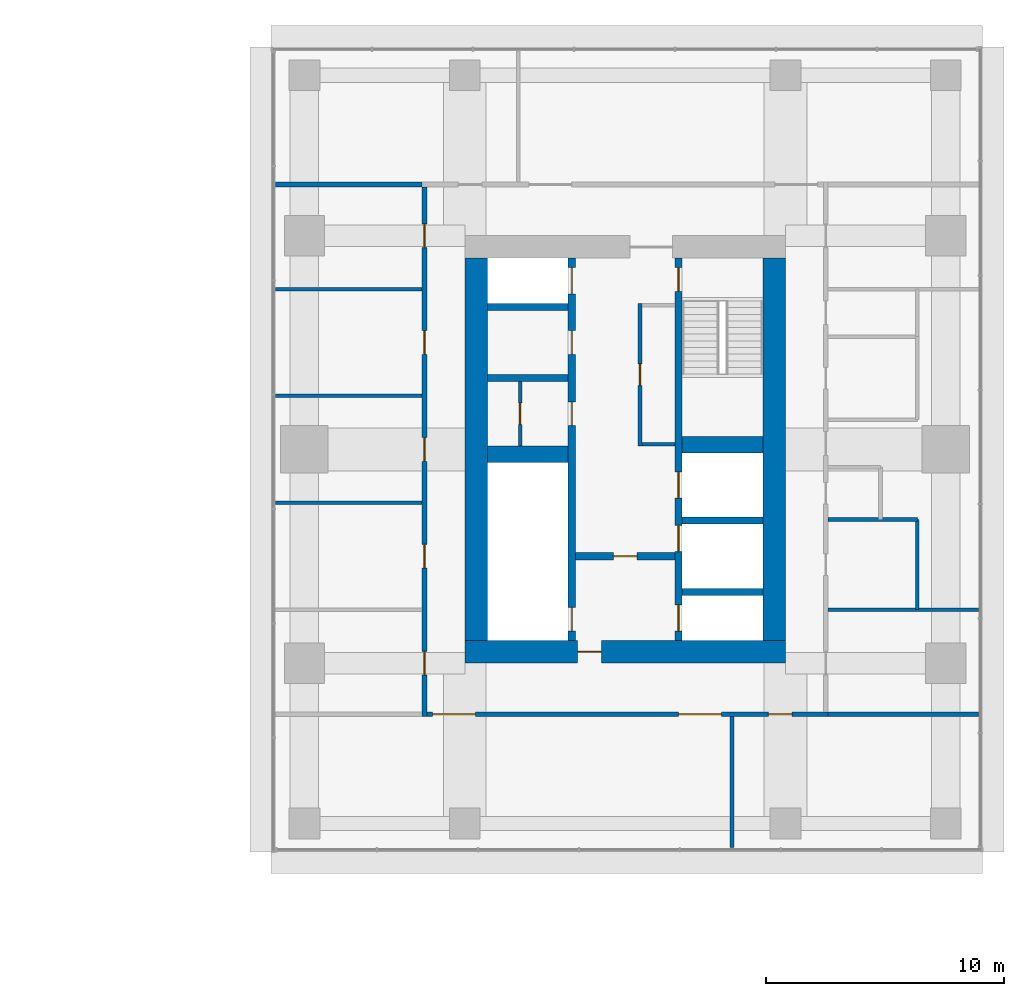
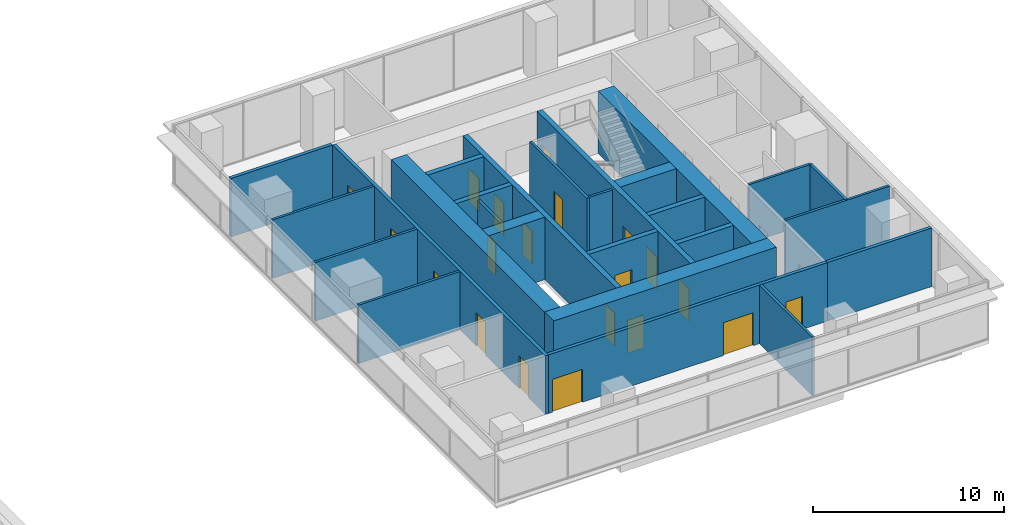
# One storey, part 10 of 14: 26 walls, 20 doors, 20 openings.
"""IFC4 building model written with IfcOpenShell, lengths in metres."""

from ifc_helpers import new_model, si_unit, direction, frame, frame_2d, origin, place, context, subcontext, project, spatial, rectangle, extrude, material, layer, layer_set, type_object, element, fill, save


model = new_model("IFC4")

# Units and contexts
model_context = context("Model", 3, precision=1e-05, world=origin(), true_north=direction((0.0, 1.0)))
body_context = subcontext(model_context, "Body", "Model", "MODEL_VIEW")
ifc_project = project(units=[si_unit("LENGTHUNIT", "METRE"), si_unit("AREAUNIT", "SQUARE_METRE"), si_unit("VOLUMEUNIT", "CUBIC_METRE"), si_unit("PLANEANGLEUNIT", "RADIAN"), si_unit("MASSUNIT", "GRAM", prefix="KILO")], contexts=[model_context])

# Site, building, storey
site_placement = place(None, origin())
site = spatial("IfcSite", under=ifc_project, at=site_placement, CompositionType="ELEMENT")
building_placement = place(site_placement, origin())
building = spatial("IfcBuilding", under=site, at=building_placement, Name="Namib Vertical Campus", CompositionType="ELEMENT")
storey_placement = place(building_placement, frame((0.0, 0.0, 233.0)))
storey = spatial("IfcBuildingStorey", under=building, at=storey_placement, Name="L55", CompositionType="ELEMENT", Elevation=233.0)

# Wall, openings, doors
ifc_material_1 = material(Name="Concrete C60/75", Category="concrete")
ifc_layer_1 = layer(ifc_material_1, 0.300048828125)
ifc_layer_set_1 = layer_set([ifc_layer_1], Name="Concrete C60/75")
wall_type_1 = type_object("IfcWallType", Name="Core inner wall 300", PredefinedType="SHEAR", material=ifc_layer_set_1)
wall_1_placement = place(storey_placement, frame((78.75, 12.199951171875, 0.0), z_axis=(0.0, 0.0, 1.0), x_axis=(0.0, 1.0, 0.0)))
wall_1 = element("IfcWall", 1, at=wall_1_placement, inside=storey, type_object=wall_type_1, Name="Core inner wall B L55 W1", PredefinedType="SHEAR", context=body_context, shape_type="SweptSolid", body=[
    extrude(rectangle(XDim=16.10009765625, YDim=0.300048828125, at=frame_2d((8.050048828125, 0.0))), origin(), (0.0, 0.0, 1.0), 4.0),
])
opening_1_placement = place(wall_1_placement, frame((0.39990234375, 0.0, 0.0)))
opening_1 = element("IfcOpeningElement", 2, at=opening_1_placement, cuts=wall_1, Name="Opening FD1", PredefinedType="OPENING", context=body_context, shape_type="SweptSolid", body=[
    extrude(rectangle(XDim=1.0, YDim=2.10009765625, at=frame_2d((0.5, 1.050048828125))), frame((0.0, 0.159912109375, 0.0), z_axis=(0.0, -1.0, 0.0), x_axis=(1.0, 0.0, 0.0)), (0.0, 0.0, 1.0), 0.320068359375),
])
opening_2_placement = place(wall_1_placement, frame((14.60009765625, 0.0, 0.0)))
opening_2 = element("IfcOpeningElement", 3, at=opening_2_placement, cuts=wall_1, Name="Opening LD1", PredefinedType="OPENING", context=body_context, shape_type="SweptSolid", body=[
    extrude(rectangle(XDim=1.10009765625, YDim=2.10009765625, at=frame_2d((0.550048828125, 1.050048828125))), frame((0.0, 0.159912109375, 0.0), z_axis=(0.0, -1.0, 0.0), x_axis=(1.0, 0.0, 0.0)), (0.0, 0.0, 1.0), 0.320068359375),
])
opening_3_placement = place(wall_1_placement, frame((9.050048828125, 0.0, 0.0)))
opening_3 = element("IfcOpeningElement", 4, at=opening_3_placement, cuts=wall_1, Name="Opening D1", PredefinedType="OPENING", context=body_context, shape_type="SweptSolid", body=[
    extrude(rectangle(XDim=1.0, YDim=2.10009765625, at=frame_2d((0.5, 1.050048828125))), frame((0.0, 0.159912109375, 0.0), z_axis=(0.0, -1.0, 0.0), x_axis=(1.0, 0.0, 0.0)), (0.0, 0.0, 1.0), 0.320068359375),
])
opening_4_placement = place(wall_1_placement, frame((12.050048828125, 0.0, 0.0)))
opening_4 = element("IfcOpeningElement", 5, at=opening_4_placement, cuts=wall_1, Name="Opening D1", PredefinedType="OPENING", context=body_context, shape_type="SweptSolid", body=[
    extrude(rectangle(XDim=1.0, YDim=2.10009765625, at=frame_2d((0.5, 1.050048828125))), frame((0.0, 0.159912109375, 0.0), z_axis=(0.0, -1.0, 0.0), x_axis=(1.0, 0.0, 0.0)), (0.0, 0.0, 1.0), 0.320068359375),
])
ifc_material_2 = material(Name="Timber door leaf", Category="wood")
door_type_1 = type_object("IfcDoorType", Name="Door single 1000x2100", OperationType="SINGLE_SWING_LEFT", PredefinedType="DOOR", material=ifc_material_2)
door_1_placement = place(opening_3_placement, origin())
door_1 = element("IfcDoor", 6, at=door_1_placement, inside=storey, type_object=door_type_1, Name="Door D1 Store B L55 P1", OperationType="SINGLE_SWING_LEFT", OverallHeight=2.10009765625, OverallWidth=1.0, PredefinedType="DOOR", context=body_context, shape_type="SweptSolid", body=[
    extrude(rectangle(XDim=1.0, YDim=2.10009765625, at=frame_2d((0.5, 1.050048828125))), frame((0.0, 0.02490234375, 0.0), z_axis=(0.0, -1.0, 0.0), x_axis=(1.0, 0.0, 0.0)), (0.0, 0.0, 1.0), 0.050048828125),
])
fill(opening_3, door_1)
door_2_placement = place(opening_4_placement, origin())
door_2 = element("IfcDoor", 7, at=door_2_placement, inside=storey, type_object=door_type_1, Name="Door D1 Cleaners' store B L55 P2", OperationType="SINGLE_SWING_LEFT", OverallHeight=2.10009765625, OverallWidth=1.0, PredefinedType="DOOR", context=body_context, shape_type="SweptSolid", body=[
    extrude(rectangle(XDim=1.0, YDim=2.10009765625, at=frame_2d((0.5, 1.050048828125))), frame((0.0, 0.02490234375, 0.0), z_axis=(0.0, -1.0, 0.0), x_axis=(1.0, 0.0, 0.0)), (0.0, 0.0, 1.0), 0.050048828125),
])
fill(opening_4, door_2)
ifc_material_3 = material(Name="Steel fire door", Category="steel")
door_type_2 = type_object("IfcDoorType", Name="Fire door 1000x2100", OperationType="SINGLE_SWING_RIGHT", PredefinedType="DOOR", material=ifc_material_3)
door_3_placement = place(opening_1_placement, origin())
door_3 = element("IfcDoor", 8, at=door_3_placement, inside=storey, type_object=door_type_2, Name="Stair door FD1 B L55 S1", OperationType="SINGLE_SWING_LEFT", OverallHeight=2.10009765625, OverallWidth=1.0, PredefinedType="DOOR", context=body_context, shape_type="SweptSolid", body=[
    extrude(rectangle(XDim=1.0, YDim=2.10009765625, at=frame_2d((0.5, 1.050048828125))), frame((0.0, 0.02490234375, 0.0), z_axis=(0.0, -1.0, 0.0), x_axis=(1.0, 0.0, 0.0)), (0.0, 0.0, 1.0), 0.050048828125),
])
fill(opening_1, door_3)
ifc_material_4 = material(Name="Stainless steel lift door", Category="steel")
door_type_3 = type_object("IfcDoorType", Name="Lift landing door 1100x2100", OperationType="DOUBLE_DOOR_SLIDING", PredefinedType="DOOR", material=ifc_material_4)
door_4_placement = place(opening_2_placement, origin())
door_4 = element("IfcDoor", 9, at=door_4_placement, inside=storey, type_object=door_type_3, Name="Lift landing door LD1 B-P3 L55", OperationType="DOUBLE_DOOR_SLIDING", OverallHeight=2.10009765625, OverallWidth=1.10009765625, PredefinedType="DOOR", context=body_context, shape_type="SweptSolid", body=[
    extrude(rectangle(XDim=1.10009765625, YDim=2.10009765625, at=frame_2d((0.550048828125, 1.050048828125))), frame((0.0, 0.02490234375, 0.0), z_axis=(0.0, -1.0, 0.0), x_axis=(1.0, 0.0, 0.0)), (0.0, 0.0, 1.0), 0.050048828125),
])
fill(opening_2, door_4)

wall_2_placement = place(storey_placement, frame((83.25, 12.199951171875, 0.0), z_axis=(0.0, 0.0, 1.0), x_axis=(0.0, 1.0, 0.0)))
wall_2 = element("IfcWall", 10, at=wall_2_placement, inside=storey, type_object=wall_type_1, Name="Core inner wall B L55 W2", PredefinedType="SHEAR", context=body_context, shape_type="SweptSolid", body=[
    extrude(rectangle(XDim=16.10009765625, YDim=0.300048828125, at=frame_2d((8.050048828125, 0.0))), origin(), (0.0, 0.0, 1.0), 4.0),
])
opening_5_placement = place(wall_2_placement, frame((14.699951171875, 0.0, 0.0)))
opening_5 = element("IfcOpeningElement", 11, at=opening_5_placement, cuts=wall_2, Name="Opening FD1", PredefinedType="OPENING", context=body_context, shape_type="SweptSolid", body=[
    extrude(rectangle(XDim=1.0, YDim=2.10009765625, at=frame_2d((0.5, 1.050048828125))), frame((0.0, 0.159912109375, 0.0), z_axis=(0.0, -1.0, 0.0), x_axis=(1.0, 0.0, 0.0)), (0.0, 0.0, 1.0), 0.320068359375),
])
opening_6_placement = place(wall_2_placement, frame((0.39990234375, 0.0, 0.0)))
opening_6 = element("IfcOpeningElement", 12, at=opening_6_placement, cuts=wall_2, Name="Opening LD1", PredefinedType="OPENING", context=body_context, shape_type="SweptSolid", body=[
    extrude(rectangle(XDim=1.10009765625, YDim=2.10009765625, at=frame_2d((0.550048828125, 1.050048828125))), frame((0.0, 0.159912109375, 0.0), z_axis=(0.0, -1.0, 0.0), x_axis=(1.0, 0.0, 0.0)), (0.0, 0.0, 1.0), 0.320068359375),
])
opening_7_placement = place(wall_2_placement, frame((3.75, 0.0, 0.0)))
opening_7 = element("IfcOpeningElement", 13, at=opening_7_placement, cuts=wall_2, Name="Opening LD1", PredefinedType="OPENING", context=body_context, shape_type="SweptSolid", body=[
    extrude(rectangle(XDim=1.10009765625, YDim=2.10009765625, at=frame_2d((0.550048828125, 1.050048828125))), frame((0.0, 0.159912109375, 0.0), z_axis=(0.0, -1.0, 0.0), x_axis=(1.0, 0.0, 0.0)), (0.0, 0.0, 1.0), 0.320068359375),
])
opening_8_placement = place(wall_2_placement, frame((6.0, 0.0, 0.0)))
opening_8 = element("IfcOpeningElement", 14, at=opening_8_placement, cuts=wall_2, Name="Opening LD1", PredefinedType="OPENING", context=body_context, shape_type="SweptSolid", body=[
    extrude(rectangle(XDim=1.10009765625, YDim=2.10009765625, at=frame_2d((0.550048828125, 1.050048828125))), frame((0.0, 0.159912109375, 0.0), z_axis=(0.0, -1.0, 0.0), x_axis=(1.0, 0.0, 0.0)), (0.0, 0.0, 1.0), 0.320068359375),
])
door_5_placement = place(opening_5_placement, frame((1.0, 0.0, 0.0), z_axis=(0.0, 0.0, 1.0), x_axis=(-1.0, 0.0, 0.0)))
door_5 = element("IfcDoor", 15, at=door_5_placement, inside=storey, type_object=door_type_2, Name="Stair door FD1 B L55 S2", OperationType="SINGLE_SWING_LEFT", OverallHeight=2.10009765625, OverallWidth=1.0, PredefinedType="DOOR", context=body_context, shape_type="SweptSolid", body=[
    extrude(rectangle(XDim=1.0, YDim=2.10009765625, at=frame_2d((0.5, 1.050048828125))), frame((0.0, 0.02490234375, 0.0), z_axis=(0.0, -1.0, 0.0), x_axis=(1.0, 0.0, 0.0)), (0.0, 0.0, 1.0), 0.050048828125),
])
fill(opening_5, door_5)
door_6_placement = place(opening_6_placement, origin())
door_6 = element("IfcDoor", 16, at=door_6_placement, inside=storey, type_object=door_type_3, Name="Lift landing door LD1 B-FL1 L55", OperationType="DOUBLE_DOOR_SLIDING", OverallHeight=2.10009765625, OverallWidth=1.10009765625, PredefinedType="DOOR", context=body_context, shape_type="SweptSolid", body=[
    extrude(rectangle(XDim=1.10009765625, YDim=2.10009765625, at=frame_2d((0.550048828125, 1.050048828125))), frame((0.0, 0.02490234375, 0.0), z_axis=(0.0, -1.0, 0.0), x_axis=(1.0, 0.0, 0.0)), (0.0, 0.0, 1.0), 0.050048828125),
])
fill(opening_6, door_6)
door_7_placement = place(opening_7_placement, origin())
door_7 = element("IfcDoor", 17, at=door_7_placement, inside=storey, type_object=door_type_3, Name="Lift landing door LD1 B-P4 L55", OperationType="DOUBLE_DOOR_SLIDING", OverallHeight=2.10009765625, OverallWidth=1.10009765625, PredefinedType="DOOR", context=body_context, shape_type="SweptSolid", body=[
    extrude(rectangle(XDim=1.10009765625, YDim=2.10009765625, at=frame_2d((0.550048828125, 1.050048828125))), frame((0.0, 0.02490234375, 0.0), z_axis=(0.0, -1.0, 0.0), x_axis=(1.0, 0.0, 0.0)), (0.0, 0.0, 1.0), 0.050048828125),
])
fill(opening_7, door_7)
door_8_placement = place(opening_8_placement, origin())
door_8 = element("IfcDoor", 18, at=door_8_placement, inside=storey, type_object=door_type_3, Name="Lift landing door LD1 B-P5 L55", OperationType="DOUBLE_DOOR_SLIDING", OverallHeight=2.10009765625, OverallWidth=1.10009765625, PredefinedType="DOOR", context=body_context, shape_type="SweptSolid", body=[
    extrude(rectangle(XDim=1.10009765625, YDim=2.10009765625, at=frame_2d((0.550048828125, 1.050048828125))), frame((0.0, 0.02490234375, 0.0), z_axis=(0.0, -1.0, 0.0), x_axis=(1.0, 0.0, 0.0)), (0.0, 0.0, 1.0), 0.050048828125),
])
fill(opening_8, door_8)

# Wall, opening, door
wall_3_placement = place(storey_placement, frame((78.89990234375, 15.75, 0.0), z_axis=(0.0, 0.0, 1.0), x_axis=(1.0, 0.0, 0.0)))
wall_3 = element("IfcWall", 19, at=wall_3_placement, inside=storey, type_object=wall_type_1, Name="Core inner wall B L55 W4", PredefinedType="SHEAR", context=body_context, shape_type="SweptSolid", body=[
    extrude(rectangle(XDim=4.2001953125, YDim=0.300048828125, at=frame_2d((2.10009765625, 0.0))), origin(), (0.0, 0.0, 1.0), 4.0),
])
opening_9_placement = place(wall_3_placement, frame((1.60009765625, 0.0, 0.0)))
opening_9 = element("IfcOpeningElement", 20, at=opening_9_placement, cuts=wall_3, Name="Opening FD5", PredefinedType="OPENING", context=body_context, shape_type="SweptSolid", body=[
    extrude(rectangle(XDim=1.0, YDim=2.10009765625, at=frame_2d((0.5, 1.050048828125))), frame((0.0, 0.159912109375, 0.0), z_axis=(0.0, -1.0, 0.0), x_axis=(1.0, 0.0, 0.0)), (0.0, 0.0, 1.0), 0.320068359375),
])
ifc_material_5 = material(Name="Steel fire door", Category="steel")
door_type_4 = type_object("IfcDoorType", Name="Fire door 1000x2100 120 min", OperationType="SINGLE_SWING_RIGHT", PredefinedType="DOOR", material=ifc_material_5)
door_9_placement = place(opening_9_placement, frame((1.0, 0.0, 0.0), z_axis=(0.0, 0.0, 1.0), x_axis=(-1.0, 0.0, 0.0)))
door_9 = element("IfcDoor", 21, at=door_9_placement, inside=storey, type_object=door_type_4, Name="Lobby door FD5 B L55", OperationType="SINGLE_SWING_RIGHT", OverallHeight=2.10009765625, OverallWidth=1.0, PredefinedType="DOOR", context=body_context, shape_type="SweptSolid", body=[
    extrude(rectangle(XDim=1.0, YDim=2.10009765625, at=frame_2d((0.5, 1.050048828125))), frame((0.0, 0.02490234375, 0.0), z_axis=(0.0, -1.0, 0.0), x_axis=(1.0, 0.0, 0.0)), (0.0, 0.0, 1.0), 0.050048828125),
])
fill(opening_9, door_9)

# Walls
for number, where, z_axis, x_axis, name in (
    (22, (83.39990234375, 14.25, 0.0), (0.0, 0.0, 1.0), (1.0, 0.0, 0.0), "Core inner wall B L55 W5"),
    (23, (83.39990234375, 17.25, 0.0), (0.0, 0.0, 1.0), (1.0, 0.0, 0.0), "Core inner wall B L55 W6"),
    (24, (75.199951171875, 23.25, 0.0), (0.0, 0.0, 1.0), (1.0, 0.0, 0.0), "Core inner wall B L55 W8"),
    (25, (75.199951171875, 26.25, 0.0), (0.0, 0.0, 1.0), (1.0, 0.0, 0.0), "Core inner wall B L55 W9"),
):
    element("IfcWall", number, at=place(storey_placement, frame(where, z_axis=z_axis, x_axis=x_axis)), inside=storey, type_object=wall_type_1, Name=name, PredefinedType="SHEAR", context=body_context, shape_type="SweptSolid", body=[
        extrude(rectangle(XDim=3.400146484375, YDim=0.300048828125, at=frame_2d((1.7001953125, 0.0))), origin(), (0.0, 0.0, 1.0), 4.0),
    ])
ifc_material_6 = material(Name="Concrete C60/75", Category="concrete")
ifc_layer_2 = layer(ifc_material_6, 0.699951171875)
ifc_layer_set_2 = layer_set([ifc_layer_2], Name="Concrete C60/75")
wall_type_2 = type_object("IfcWallType", Name="Core shear wall 700", PredefinedType="SHEAR", material=ifc_layer_set_2)
for number, where, z_axis, x_axis, name in (
    (26, (75.199951171875, 20.050048828125, 0.0), (0.0, 0.0, 1.0), (1.0, 0.0, 0.0), "Core shear wall B L55 W3"),
    (27, (83.39990234375, 20.449951171875, 0.0), (0.0, 0.0, 1.0), (1.0, 0.0, 0.0), "Core shear wall B L55 W7"),
):
    element("IfcWall", number, at=place(storey_placement, frame(where, z_axis=z_axis, x_axis=x_axis)), inside=storey, type_object=wall_type_2, Name=name, PredefinedType="SHEAR", context=body_context, shape_type="SweptSolid", body=[
        extrude(rectangle(XDim=3.400146484375, YDim=0.699951171875, at=frame_2d((1.7001953125, 0.0))), origin(), (0.0, 0.0, 1.0), 4.0),
    ])

# Wall, opening, door
ifc_material_7 = material(Name="Concrete C60/75", Category="concrete")
ifc_layer_3 = layer(ifc_material_7, 0.949951171875)
ifc_layer_set_3 = layer_set([ifc_layer_3], Name="Concrete C60/75")
wall_type_3 = type_object("IfcWallType", Name="Core wall 950", PredefinedType="SHEAR", material=ifc_layer_set_3)
wall_4_placement = place(storey_placement, frame((74.25, 11.72509765625, 0.0), z_axis=(0.0, 0.0, 1.0), x_axis=(1.0, 0.0, 0.0)))
wall_4 = element("IfcWall", 28, at=wall_4_placement, inside=storey, type_object=wall_type_3, Name="Core wall B L55 1", PredefinedType="SHEAR", context=body_context, shape_type="SweptSolid", body=[
    extrude(rectangle(XDim=13.5, YDim=0.949951171875, at=frame_2d((6.75, 0.0))), origin(), (0.0, 0.0, 1.0), 4.0),
])
opening_10_placement = place(wall_4_placement, frame((4.75, 0.0, 0.0)))
opening_10 = element("IfcOpeningElement", 29, at=opening_10_placement, cuts=wall_4, Name="Opening FD5", PredefinedType="OPENING", context=body_context, shape_type="SweptSolid", body=[
    extrude(rectangle(XDim=1.0, YDim=2.10009765625, at=frame_2d((0.5, 1.050048828125))), frame((0.0, 0.48486328125, 0.0), z_axis=(0.0, -1.0, 0.0), x_axis=(1.0, 0.0, 0.0)), (0.0, 0.0, 1.0), 0.969970703125),
])
door_10_placement = place(opening_10_placement, origin())
door_10 = element("IfcDoor", 30, at=door_10_placement, inside=storey, type_object=door_type_4, Name="Firefighting lobby door FD5 B L55", OperationType="SINGLE_SWING_LEFT", OverallHeight=2.10009765625, OverallWidth=1.0, PredefinedType="DOOR", context=body_context, shape_type="SweptSolid", body=[
    extrude(rectangle(XDim=1.0, YDim=2.10009765625, at=frame_2d((0.5, 1.050048828125))), frame((0.0, 0.02490234375, 0.0), z_axis=(0.0, -1.0, 0.0), x_axis=(1.0, 0.0, 0.0)), (0.0, 0.0, 1.0), 0.050048828125),
])
fill(opening_10, door_10)

# Walls
for number, where, z_axis, x_axis, name in (
    (31, (87.27490234375, 12.199951171875, 0.0), (0.0, 0.0, 1.0), (0.0, 1.0, 0.0), "Core wall B L55 2"),
    (32, (74.72509765625, 28.300048828125, 0.0), (0.0, 0.0, 1.0), (0.0, -1.0, 0.0), "Core wall B L55 4"),
):
    element("IfcWall", number, at=place(storey_placement, frame(where, z_axis=z_axis, x_axis=x_axis)), inside=storey, type_object=wall_type_3, Name=name, PredefinedType="SHEAR", context=body_context, shape_type="SweptSolid", body=[
        extrude(rectangle(XDim=16.10009765625, YDim=0.949951171875, at=frame_2d((8.050048828125, 0.0))), origin(), (0.0, 0.0, 1.0), 4.0),
    ])

# Wall, openings, doors
ifc_material_8 = material(Name="Concrete masonry", Category="masonry")
ifc_layer_4 = layer(ifc_material_8, 0.199951171875)
ifc_layer_set_4 = layer_set([ifc_layer_4], Name="Corridor wall 200")
wall_type_4 = type_object("IfcWallType", Name="Corridor wall 200", PredefinedType="SOLIDWALL", material=ifc_layer_set_4)
wall_5_placement = place(storey_placement, frame((72.64990234375, 9.10009765625, 0.0), z_axis=(0.0, 0.0, 1.0), x_axis=(1.0, 0.0, 0.0)))
wall_5 = element("IfcWall", 33, at=wall_5_placement, inside=storey, type_object=wall_type_4, Name="Corridor wall B L55 CS", PredefinedType="SOLIDWALL", context=body_context, shape_type="SweptSolid", body=[
    extrude(rectangle(XDim=16.900146484375, YDim=0.199951171875, at=frame_2d((8.4501953125, 0.0))), origin(), (0.0, 0.0, 1.0), 3.75),
])
opening_11_placement = place(wall_5_placement, frame((0.25, 0.0, 0.0)))
opening_11 = element("IfcOpeningElement", 34, at=opening_11_placement, cuts=wall_5, Name="Opening CD2", PredefinedType="OPENING", context=body_context, shape_type="SweptSolid", body=[
    extrude(rectangle(XDim=1.800048828125, YDim=2.10009765625, at=frame_2d((0.89990234375, 1.050048828125))), frame((0.0, 0.10986328125, 0.0), z_axis=(0.0, -1.0, 0.0), x_axis=(1.0, 0.0, 0.0)), (0.0, 0.0, 1.0), 0.219970703125),
])
opening_12_placement = place(wall_5_placement, frame((10.60009765625, 0.0, 0.0)))
opening_12 = element("IfcOpeningElement", 35, at=opening_12_placement, cuts=wall_5, Name="Opening CD2", PredefinedType="OPENING", context=body_context, shape_type="SweptSolid", body=[
    extrude(rectangle(XDim=1.800048828125, YDim=2.10009765625, at=frame_2d((0.89990234375, 1.050048828125))), frame((0.0, 0.10986328125, 0.0), z_axis=(0.0, -1.0, 0.0), x_axis=(1.0, 0.0, 0.0)), (0.0, 0.0, 1.0), 0.219970703125),
])
opening_13_placement = place(wall_5_placement, frame((14.375, 0.0, 0.0)))
opening_13 = element("IfcOpeningElement", 36, at=opening_13_placement, cuts=wall_5, Name="Opening CD1", PredefinedType="OPENING", context=body_context, shape_type="SweptSolid", body=[
    extrude(rectangle(XDim=1.0, YDim=2.10009765625, at=frame_2d((0.5, 1.050048828125))), frame((0.0, 0.10986328125, 0.0), z_axis=(0.0, -1.0, 0.0), x_axis=(1.0, 0.0, 0.0)), (0.0, 0.0, 1.0), 0.219970703125),
])
ifc_material_9 = material(Name="Timber fire door leaf", Category="wood")
door_type_5 = type_object("IfcDoorType", Name="Corridor door 1000x2100 20 min", OperationType="SINGLE_SWING_LEFT", PredefinedType="DOOR", material=ifc_material_9)
door_11_placement = place(opening_13_placement, frame((1.0, 0.0, 0.0), z_axis=(0.0, 0.0, 1.0), x_axis=(-1.0, 0.0, 0.0)))
door_11 = element("IfcDoor", 37, at=door_11_placement, inside=storey, type_object=door_type_5, Name="Door CD1 B55-02", OperationType="SINGLE_SWING_RIGHT", OverallHeight=2.10009765625, OverallWidth=1.0, PredefinedType="DOOR", context=body_context, shape_type="SweptSolid", body=[
    extrude(rectangle(XDim=1.0, YDim=2.10009765625, at=frame_2d((0.5, 1.050048828125))), frame((0.0, 0.02490234375, 0.0), z_axis=(0.0, -1.0, 0.0), x_axis=(1.0, 0.0, 0.0)), (0.0, 0.0, 1.0), 0.050048828125),
])
fill(opening_13, door_11)
ifc_material_10 = material(Name="Timber fire door leaf", Category="wood")
door_type_6 = type_object("IfcDoorType", Name="Corridor door double 1800x2100 20 min", OperationType="DOUBLE_DOOR_SINGLE_SWING", PredefinedType="DOOR", material=ifc_material_10)
door_12_placement = place(opening_11_placement, frame((1.800048828125, 0.0, 0.0), z_axis=(0.0, 0.0, 1.0), x_axis=(-1.0, 0.0, 0.0)))
door_12 = element("IfcDoor", 38, at=door_12_placement, inside=storey, type_object=door_type_6, Name="Door CD2 B55-01", OperationType="DOUBLE_DOOR_SINGLE_SWING", OverallHeight=2.10009765625, OverallWidth=1.800048828125, PredefinedType="DOOR", context=body_context, shape_type="SweptSolid", body=[
    extrude(rectangle(XDim=1.800048828125, YDim=2.10009765625, at=frame_2d((0.89990234375, 1.050048828125))), frame((0.0, 0.02490234375, 0.0), z_axis=(0.0, -1.0, 0.0), x_axis=(1.0, 0.0, 0.0)), (0.0, 0.0, 1.0), 0.050048828125),
])
fill(opening_11, door_12)
door_13_placement = place(opening_12_placement, frame((1.800048828125, 0.0, 0.0), z_axis=(0.0, 0.0, 1.0), x_axis=(-1.0, 0.0, 0.0)))
door_13 = element("IfcDoor", 39, at=door_13_placement, inside=storey, type_object=door_type_6, Name="Door CD2 B55-01 2", OperationType="DOUBLE_DOOR_SINGLE_SWING", OverallHeight=2.10009765625, OverallWidth=1.800048828125, PredefinedType="DOOR", context=body_context, shape_type="SweptSolid", body=[
    extrude(rectangle(XDim=1.800048828125, YDim=2.10009765625, at=frame_2d((0.89990234375, 1.050048828125))), frame((0.0, 0.02490234375, 0.0), z_axis=(0.0, -1.0, 0.0), x_axis=(1.0, 0.0, 0.0)), (0.0, 0.0, 1.0), 0.050048828125),
])
fill(opening_12, door_13)

wall_6_placement = place(storey_placement, frame((72.550048828125, 31.300048828125, 0.0), z_axis=(0.0, 0.0, 1.0), x_axis=(0.0, -1.0, 0.0)))
wall_6 = element("IfcWall", 40, at=wall_6_placement, inside=storey, type_object=wall_type_4, Name="Corridor wall B L55 CW", PredefinedType="SOLIDWALL", context=body_context, shape_type="SweptSolid", body=[
    extrude(rectangle(XDim=22.300048828125, YDim=0.199951171875, at=frame_2d((11.14990234375, 0.0))), origin(), (0.0, 0.0, 1.0), 3.75),
])
opening_14_placement = place(wall_6_placement, frame((19.550048828125, 0.0, 0.0)))
opening_14 = element("IfcOpeningElement", 41, at=opening_14_placement, cuts=wall_6, Name="Opening CD1", PredefinedType="OPENING", context=body_context, shape_type="SweptSolid", body=[
    extrude(rectangle(XDim=1.0, YDim=2.10009765625, at=frame_2d((0.5, 1.050048828125))), frame((0.0, 0.10986328125, 0.0), z_axis=(0.0, -1.0, 0.0), x_axis=(1.0, 0.0, 0.0)), (0.0, 0.0, 1.0), 0.219970703125),
])
opening_15_placement = place(wall_6_placement, frame((15.050048828125, 0.0, 0.0)))
opening_15 = element("IfcOpeningElement", 42, at=opening_15_placement, cuts=wall_6, Name="Opening CD1", PredefinedType="OPENING", context=body_context, shape_type="SweptSolid", body=[
    extrude(rectangle(XDim=1.0, YDim=2.10009765625, at=frame_2d((0.5, 1.050048828125))), frame((0.0, 0.10986328125, 0.0), z_axis=(0.0, -1.0, 0.0), x_axis=(1.0, 0.0, 0.0)), (0.0, 0.0, 1.0), 0.219970703125),
])
opening_16_placement = place(wall_6_placement, frame((10.550048828125, 0.0, 0.0)))
opening_16 = element("IfcOpeningElement", 43, at=opening_16_placement, cuts=wall_6, Name="Opening CD1", PredefinedType="OPENING", context=body_context, shape_type="SweptSolid", body=[
    extrude(rectangle(XDim=1.0, YDim=2.10009765625, at=frame_2d((0.5, 1.050048828125))), frame((0.0, 0.10986328125, 0.0), z_axis=(0.0, -1.0, 0.0), x_axis=(1.0, 0.0, 0.0)), (0.0, 0.0, 1.0), 0.219970703125),
])
opening_17_placement = place(wall_6_placement, frame((6.050048828125, 0.0, 0.0)))
opening_17 = element("IfcOpeningElement", 44, at=opening_17_placement, cuts=wall_6, Name="Opening CD1", PredefinedType="OPENING", context=body_context, shape_type="SweptSolid", body=[
    extrude(rectangle(XDim=1.0, YDim=2.10009765625, at=frame_2d((0.5, 1.050048828125))), frame((0.0, 0.10986328125, 0.0), z_axis=(0.0, -1.0, 0.0), x_axis=(1.0, 0.0, 0.0)), (0.0, 0.0, 1.0), 0.219970703125),
])
opening_18_placement = place(wall_6_placement, frame((1.550048828125, 0.0, 0.0)))
opening_18 = element("IfcOpeningElement", 45, at=opening_18_placement, cuts=wall_6, Name="Opening CD1", PredefinedType="OPENING", context=body_context, shape_type="SweptSolid", body=[
    extrude(rectangle(XDim=1.0, YDim=2.10009765625, at=frame_2d((0.5, 1.050048828125))), frame((0.0, 0.10986328125, 0.0), z_axis=(0.0, -1.0, 0.0), x_axis=(1.0, 0.0, 0.0)), (0.0, 0.0, 1.0), 0.219970703125),
])
door_14_placement = place(opening_14_placement, frame((1.0, 0.0, 0.0), z_axis=(0.0, 0.0, 1.0), x_axis=(-1.0, 0.0, 0.0)))
door_14 = element("IfcDoor", 46, at=door_14_placement, inside=storey, type_object=door_type_5, Name="Door CD1 B55-12", OperationType="SINGLE_SWING_RIGHT", OverallHeight=2.10009765625, OverallWidth=1.0, PredefinedType="DOOR", context=body_context, shape_type="SweptSolid", body=[
    extrude(rectangle(XDim=1.0, YDim=2.10009765625, at=frame_2d((0.5, 1.050048828125))), frame((0.0, 0.02490234375, 0.0), z_axis=(0.0, -1.0, 0.0), x_axis=(1.0, 0.0, 0.0)), (0.0, 0.0, 1.0), 0.050048828125),
])
fill(opening_14, door_14)
door_15_placement = place(opening_15_placement, frame((1.0, 0.0, 0.0), z_axis=(0.0, 0.0, 1.0), x_axis=(-1.0, 0.0, 0.0)))
door_15 = element("IfcDoor", 47, at=door_15_placement, inside=storey, type_object=door_type_5, Name="Door CD1 B55-13", OperationType="SINGLE_SWING_RIGHT", OverallHeight=2.10009765625, OverallWidth=1.0, PredefinedType="DOOR", context=body_context, shape_type="SweptSolid", body=[
    extrude(rectangle(XDim=1.0, YDim=2.10009765625, at=frame_2d((0.5, 1.050048828125))), frame((0.0, 0.02490234375, 0.0), z_axis=(0.0, -1.0, 0.0), x_axis=(1.0, 0.0, 0.0)), (0.0, 0.0, 1.0), 0.050048828125),
])
fill(opening_15, door_15)
door_16_placement = place(opening_16_placement, frame((1.0, 0.0, 0.0), z_axis=(0.0, 0.0, 1.0), x_axis=(-1.0, 0.0, 0.0)))
door_16 = element("IfcDoor", 48, at=door_16_placement, inside=storey, type_object=door_type_5, Name="Door CD1 B55-14", OperationType="SINGLE_SWING_RIGHT", OverallHeight=2.10009765625, OverallWidth=1.0, PredefinedType="DOOR", context=body_context, shape_type="SweptSolid", body=[
    extrude(rectangle(XDim=1.0, YDim=2.10009765625, at=frame_2d((0.5, 1.050048828125))), frame((0.0, 0.02490234375, 0.0), z_axis=(0.0, -1.0, 0.0), x_axis=(1.0, 0.0, 0.0)), (0.0, 0.0, 1.0), 0.050048828125),
])
fill(opening_16, door_16)
door_17_placement = place(opening_17_placement, frame((1.0, 0.0, 0.0), z_axis=(0.0, 0.0, 1.0), x_axis=(-1.0, 0.0, 0.0)))
door_17 = element("IfcDoor", 49, at=door_17_placement, inside=storey, type_object=door_type_5, Name="Door CD1 B55-15", OperationType="SINGLE_SWING_RIGHT", OverallHeight=2.10009765625, OverallWidth=1.0, PredefinedType="DOOR", context=body_context, shape_type="SweptSolid", body=[
    extrude(rectangle(XDim=1.0, YDim=2.10009765625, at=frame_2d((0.5, 1.050048828125))), frame((0.0, 0.02490234375, 0.0), z_axis=(0.0, -1.0, 0.0), x_axis=(1.0, 0.0, 0.0)), (0.0, 0.0, 1.0), 0.050048828125),
])
fill(opening_17, door_17)
door_18_placement = place(opening_18_placement, frame((1.0, 0.0, 0.0), z_axis=(0.0, 0.0, 1.0), x_axis=(-1.0, 0.0, 0.0)))
door_18 = element("IfcDoor", 50, at=door_18_placement, inside=storey, type_object=door_type_5, Name="Door CD1 B55-16", OperationType="SINGLE_SWING_RIGHT", OverallHeight=2.10009765625, OverallWidth=1.0, PredefinedType="DOOR", context=body_context, shape_type="SweptSolid", body=[
    extrude(rectangle(XDim=1.0, YDim=2.10009765625, at=frame_2d((0.5, 1.050048828125))), frame((0.0, 0.02490234375, 0.0), z_axis=(0.0, -1.0, 0.0), x_axis=(1.0, 0.0, 0.0)), (0.0, 0.0, 1.0), 0.050048828125),
])
fill(opening_18, door_18)

# Walls
wall_7_placement = place(storey_placement, frame((89.550048828125, 9.10009765625, 0.0), z_axis=(0.0, 0.0, 1.0), x_axis=(1.0, 0.0, 0.0)))
element("IfcWall", 51, at=wall_7_placement, inside=storey, type_object=wall_type_4, Name="Partition B L55 BSE", PredefinedType="SOLIDWALL", context=body_context, shape_type="SweptSolid", body=[
    extrude(rectangle(XDim=6.320068359375, YDim=0.199951171875, at=frame_2d((3.16015625, 0.0))), origin(), (0.0, 0.0, 1.0), 3.75),
])
wall_8_placement = place(storey_placement, frame((66.280029296875, 31.39990234375, 0.0), z_axis=(0.0, 0.0, 1.0), x_axis=(1.0, 0.0, 0.0)))
element("IfcWall", 52, at=wall_8_placement, inside=storey, type_object=wall_type_4, Name="Partition B L55 BNW", PredefinedType="SOLIDWALL", context=body_context, shape_type="SweptSolid", body=[
    extrude(rectangle(XDim=6.169921875, YDim=0.199951171875, at=frame_2d((3.0849609375, 0.0))), origin(), (0.0, 0.0, 1.0), 3.75),
])

# Wall, opening, door
ifc_material_11 = material(Name="Gypsum board on steel studs", Category="steel")
ifc_layer_5 = layer(ifc_material_11, 0.14990234375)
ifc_layer_set_5 = layer_set([ifc_layer_5], Name="Gypsum board on steel studs")
wall_type_5 = type_object("IfcWallType", Name="Partition 150", PredefinedType="PARTITIONING", material=ifc_layer_set_5)
wall_9_placement = place(storey_placement, frame((81.625, 20.39990234375, 0.0), z_axis=(0.0, 0.0, 1.0), x_axis=(0.0, 1.0, 0.0)))
wall_9 = element("IfcWall", 53, at=wall_9_placement, inside=storey, type_object=wall_type_5, Name="Partition B L55 Store front", PredefinedType="PARTITIONING", context=body_context, shape_type="SweptSolid", body=[
    extrude(rectangle(XDim=6.0, YDim=0.14990234375, at=frame_2d((3.0, 0.0))), origin(), (0.0, 0.0, 1.0), 3.75),
])
opening_19_placement = place(wall_9_placement, frame((2.550048828125, 0.0, 0.0)))
opening_19 = element("IfcOpeningElement", 54, at=opening_19_placement, cuts=wall_9, Name="Opening D3", PredefinedType="OPENING", context=body_context, shape_type="SweptSolid", body=[
    extrude(rectangle(XDim=0.89990234375, YDim=2.10009765625, at=frame_2d((0.449951171875, 1.050048828125))), frame((0.0, 0.0849609375, 0.0), z_axis=(0.0, -1.0, 0.0), x_axis=(1.0, 0.0, 0.0)), (0.0, 0.0, 1.0), 0.169921875),
])
ifc_material_12 = material(Name="Timber door leaf", Category="wood")
door_type_7 = type_object("IfcDoorType", Name="Toilet door 900x2100", OperationType="SINGLE_SWING_LEFT", PredefinedType="DOOR", material=ifc_material_12)
door_19_placement = place(opening_19_placement, frame((0.89990234375, 0.0, 0.0), z_axis=(0.0, 0.0, 1.0), x_axis=(-1.0, 0.0, 0.0)))
door_19 = element("IfcDoor", 55, at=door_19_placement, inside=storey, type_object=door_type_7, Name="Door D3 Store B L55", OperationType="SINGLE_SWING_RIGHT", OverallHeight=2.10009765625, OverallWidth=0.89990234375, PredefinedType="DOOR", context=body_context, shape_type="SweptSolid", body=[
    extrude(rectangle(XDim=0.89990234375, YDim=2.10009765625, at=frame_2d((0.449951171875, 1.050048828125))), frame((0.0, 0.02490234375, 0.0), z_axis=(0.0, -1.0, 0.0), x_axis=(1.0, 0.0, 0.0)), (0.0, 0.0, 1.0), 0.050048828125),
])
fill(opening_19, door_19)

# Wall
wall_10_placement = place(storey_placement, frame((81.699951171875, 20.47509765625, 0.0), z_axis=(0.0, 0.0, 1.0), x_axis=(1.0, 0.0, 0.0)))
element("IfcWall", 56, at=wall_10_placement, inside=storey, type_object=wall_type_5, Name="Partition B L55 Store end 1", PredefinedType="PARTITIONING", context=body_context, shape_type="SweptSolid", body=[
    extrude(rectangle(XDim=1.400146484375, YDim=0.14990234375, at=frame_2d((0.7001953125, 0.0))), origin(), (0.0, 0.0, 1.0), 3.75),
])

# Wall, opening, door
wall_11_placement = place(storey_placement, frame((76.574951171875, 20.39990234375, 0.0), z_axis=(0.0, 0.0, 1.0), x_axis=(0.0, 1.0, 0.0)))
wall_11 = element("IfcWall", 57, at=wall_11_placement, inside=storey, type_object=wall_type_5, Name="Partition B L55 Store P1 back", PredefinedType="PARTITIONING", context=body_context, shape_type="SweptSolid", body=[
    extrude(rectangle(XDim=2.7001953125, YDim=0.14990234375, at=frame_2d((1.35009765625, 0.0))), origin(), (0.0, 0.0, 1.0), 3.75),
])
opening_20_placement = place(wall_11_placement, frame((0.89990234375, 0.0, 0.0)))
opening_20 = element("IfcOpeningElement", 58, at=opening_20_placement, cuts=wall_11, Name="Opening D3", PredefinedType="OPENING", context=body_context, shape_type="SweptSolid", body=[
    extrude(rectangle(XDim=0.89990234375, YDim=2.10009765625, at=frame_2d((0.449951171875, 1.050048828125))), frame((0.0, 0.0849609375, 0.0), z_axis=(0.0, -1.0, 0.0), x_axis=(1.0, 0.0, 0.0)), (0.0, 0.0, 1.0), 0.169921875),
])
door_20_placement = place(opening_20_placement, origin())
door_20 = element("IfcDoor", 59, at=door_20_placement, inside=storey, type_object=door_type_7, Name="Door D3 Store B L55 P1", OperationType="SINGLE_SWING_LEFT", OverallHeight=2.10009765625, OverallWidth=0.89990234375, PredefinedType="DOOR", context=body_context, shape_type="SweptSolid", body=[
    extrude(rectangle(XDim=0.89990234375, YDim=2.10009765625, at=frame_2d((0.449951171875, 1.050048828125))), frame((0.0, 0.02490234375, 0.0), z_axis=(0.0, -1.0, 0.0), x_axis=(1.0, 0.0, 0.0)), (0.0, 0.0, 1.0), 0.050048828125),
])
fill(opening_20, door_20)

# Walls
wall_12_placement = place(storey_placement, frame((85.5, 3.47998046875, 0.0), z_axis=(0.0, 0.0, 1.0), x_axis=(0.0, 1.0, 0.0)))
element("IfcWall", 60, at=wall_12_placement, inside=storey, type_object=wall_type_5, Name="Partition B L55 PS1", PredefinedType="PARTITIONING", context=body_context, shape_type="SweptSolid", body=[
    extrude(rectangle(XDim=5.52001953125, YDim=0.14990234375, at=frame_2d((2.760009765625, 0.0))), origin(), (0.0, 0.0, 1.0), 3.75),
])
wall_13_placement = place(storey_placement, frame((89.550048828125, 13.5, 0.0), z_axis=(0.0, 0.0, 1.0), x_axis=(1.0, 0.0, 0.0)))
element("IfcWall", 61, at=wall_13_placement, inside=storey, type_object=wall_type_5, Name="Partition B L55 PE1", PredefinedType="PARTITIONING", context=body_context, shape_type="SweptSolid", body=[
    extrude(rectangle(XDim=6.320068359375, YDim=0.14990234375, at=frame_2d((3.16015625, 0.0))), origin(), (0.0, 0.0, 1.0), 3.75),
])
for number, where, z_axis, x_axis, name in (
    (62, (66.280029296875, 18.0, 0.0), (0.0, 0.0, 1.0), (1.0, 0.0, 0.0), "Partition B L55 PW2"),
    (63, (66.280029296875, 22.5, 0.0), (0.0, 0.0, 1.0), (1.0, 0.0, 0.0), "Partition B L55 PW3"),
    (64, (66.280029296875, 27.0, 0.0), (0.0, 0.0, 1.0), (1.0, 0.0, 0.0), "Partition B L55 PW4"),
):
    element("IfcWall", number, at=place(storey_placement, frame(where, z_axis=z_axis, x_axis=x_axis)), inside=storey, type_object=wall_type_5, Name=name, PredefinedType="PARTITIONING", context=body_context, shape_type="SweptSolid", body=[
        extrude(rectangle(XDim=6.169921875, YDim=0.14990234375, at=frame_2d((3.0849609375, 0.0))), origin(), (0.0, 0.0, 1.0), 3.75),
    ])
wall_14_placement = place(storey_placement, frame((89.550048828125, 17.300048828125, 0.0), z_axis=(0.0, 0.0, 1.0), x_axis=(1.0, 0.0, 0.0)))
element("IfcWall", 65, at=wall_14_placement, inside=storey, type_object=wall_type_5, Name="Partition B L55 WR1", PredefinedType="PARTITIONING", context=body_context, shape_type="SweptSolid", body=[
    extrude(rectangle(XDim=3.75, YDim=0.14990234375, at=frame_2d((1.875, 0.0))), origin(), (0.0, 0.0, 1.0), 3.75),
])
wall_15_placement = place(storey_placement, frame((93.300048828125, 13.5, 0.0), z_axis=(0.0, 0.0, 1.0), x_axis=(0.0, 1.0, 0.0)))
element("IfcWall", 66, at=wall_15_placement, inside=storey, type_object=wall_type_5, Name="Partition B L55 WB1", PredefinedType="PARTITIONING", context=body_context, shape_type="SweptSolid", body=[
    extrude(rectangle(XDim=3.800048828125, YDim=0.14990234375, at=frame_2d((1.89990234375, 0.0))), origin(), (0.0, 0.0, 1.0), 3.75),
])

save(model, "model.ifc")
